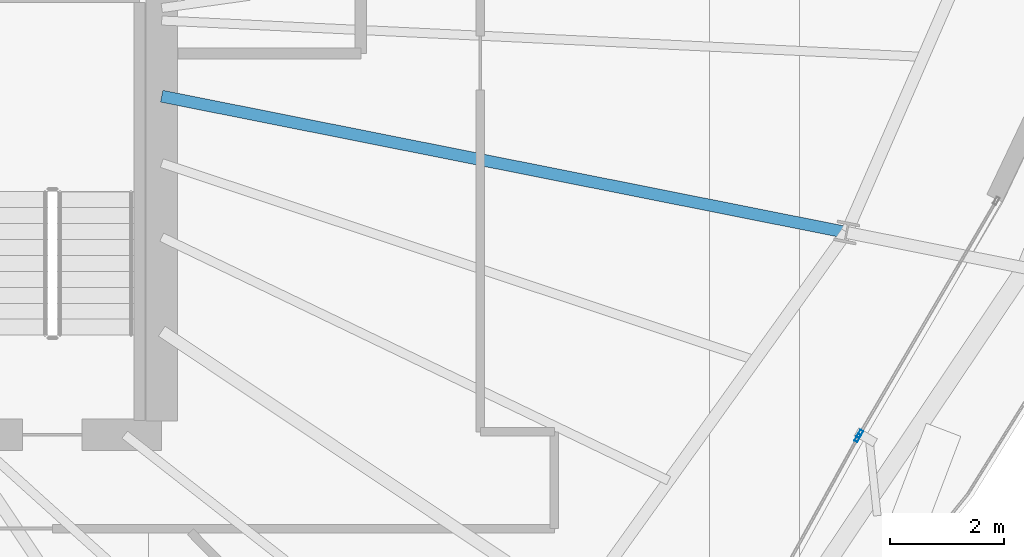
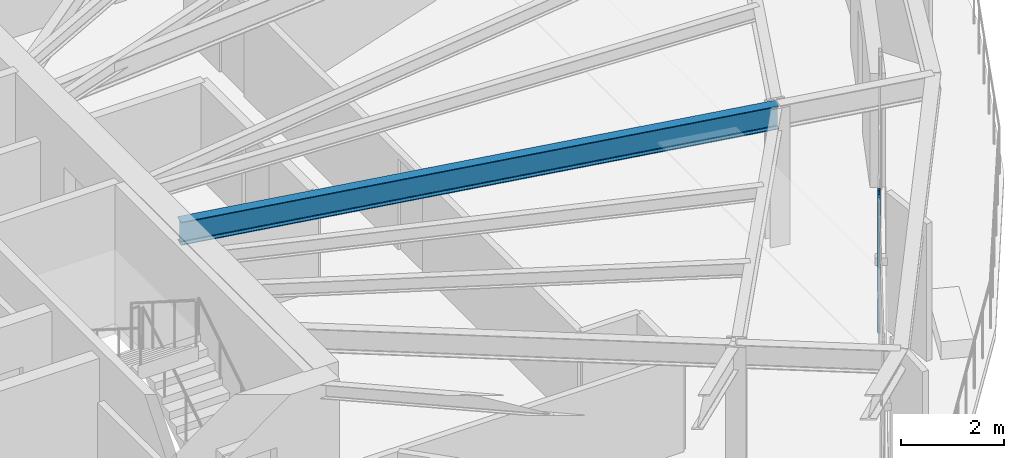
# One storey, part 17 of 36: 2 members, 1 beam, 2 elements without a shape of their own.
"""IFC4 building model written with IfcOpenShell, lengths in metres."""

from ifc_helpers import new_model, si_unit, direction, frame, origin, origin_2d, place, context, subcontext, project, spatial, hollow_rectangle, i_section, extrude, source, transform, mapped, material, layer, layer_set, material_profile, profile_set, type_object, element, aggregate, save


model = new_model("IFC4")

# Units and contexts
model_context = context("Model", 3, precision=1e-05, world=origin(), true_north=direction((0.0, 1.0)))
body_context = subcontext(model_context, "Body", "Model", "MODEL_VIEW")
ifc_project = project(units=[si_unit("LENGTHUNIT", "METRE"), si_unit("AREAUNIT", "SQUARE_METRE"), si_unit("VOLUMEUNIT", "CUBIC_METRE"), si_unit("PLANEANGLEUNIT", "RADIAN"), si_unit("MASSUNIT", "GRAM", prefix="KILO"), si_unit("THERMODYNAMICTEMPERATUREUNIT", "KELVIN")], contexts=[model_context])

# Site, building, storey
site_placement = place(None, origin())
site = spatial("IfcSite", under=ifc_project, at=site_placement, CompositionType="ELEMENT")
building_placement = place(site_placement, origin())
building = spatial("IfcBuilding", under=site, at=building_placement, Name="Kethvar Cultural Tower", CompositionType="ELEMENT")
storey_placement = place(building_placement, frame((0.0, 0.0, 164.300048828125)))
storey = spatial("IfcBuildingStorey", under=building, at=storey_placement, Name="L42", CompositionType="ELEMENT", Elevation=164.300048828125)

# Beam
ifc_material_1 = material(Name="Steel S355J2", Category="steel")
ifc_material_profile_1 = material_profile(ifc_material_1, i_section(OverallWidth=0.2099609375, OverallDepth=0.550048828125, WebThickness=0.010986328125, FlangeThickness=0.01708984375, FilletRadius=0.02392578125, at=origin_2d()), Name="Steel S355J2 — IPE550")
ifc_profile_set_1 = profile_set([ifc_material_profile_1], Name="Steel S355J2 — IPE550")
beam_type = type_object("IfcBeamType", Name="BM-IPE550", PredefinedType="BEAM", material=ifc_profile_set_1)
shared_shape_1 = source(origin(), body_context, "Body", "SweptSolid", [
    extrude(i_section(OverallWidth=0.2099609375, OverallDepth=0.550048828125, WebThickness=0.010986328125, FlangeThickness=0.01708984375, FilletRadius=0.02392578125, at=origin_2d()), origin(), (0.0, 0.0, 1.0), 12.2744140625),
])
beam_placement = place(storey_placement, frame((55.60009765625, 26.049560546875, 3.02294921875), z_axis=(0.980782878234, -0.195102398146, 0.0), x_axis=(0.195102398146, 0.980782878234, 0.0)))
element("IfcBeam", 1, at=beam_placement, inside=storey, type_object=beam_type, Name="L42 Primary Radial Beam RB-16", PredefinedType="BEAM", context=body_context, shape_type="MappedRepresentation", body=[
    mapped(shared_shape_1, transform((0.0, 0.0, 0.0), scale=1.0)),
])

# Curtain wall, member
ifc_material_2 = material(Name="Aluminium 6063-T6", Category="aluminium")
ifc_layer = layer(ifc_material_2, 0.179931640625, Name="Aluminium 6063-T6", Category="aluminium")
ifc_layer_set = layer_set([ifc_layer], Name="Aluminium 6063-T6 (180 mm)")
curtain_wall_type = type_object("IfcCurtainWallType", Name="CW-SYS-04-Z34", PredefinedType="NOTDEFINED", material=ifc_layer_set)
curtain_wall_1_placement = place(storey_placement, origin())
curtain_wall_1 = element("IfcCurtainWall", 2, at=curtain_wall_1_placement, inside=storey, type_object=curtain_wall_type, Name="L42 Curtain Wall Run 05", PredefinedType="NOTDEFINED")
ifc_material_profile_2 = material_profile(ifc_material_2, hollow_rectangle(XDim=0.06005859375, YDim=0.139892578125, WallThickness=0.0048828125, at=origin_2d()), Name="Aluminium 6063-T6 — RHS140x60x5")
ifc_profile_set_2 = profile_set([ifc_material_profile_2], Name="Aluminium 6063-T6 — RHS140x60x5")
member_type = type_object("IfcMemberType", Name="CW-SYS-04-Z34-MUL", PredefinedType="MULLION", material=ifc_profile_set_2)
shared_shape_2 = source(origin(), body_context, "Body", "SweptSolid", [
    extrude(hollow_rectangle(XDim=0.06005859375, YDim=0.139892578125, WallThickness=0.0048828125, at=origin_2d()), origin(), (0.0, 0.0, 1.0), 3.300048828125),
])
member_1_placement = place(storey_placement, frame((67.8330078125, 20.04443359375, 0.0), z_axis=(0.0, 0.0, 1.0), x_axis=(-0.87512691893, 0.483893454972, 0.0)))
member_1 = element("IfcMember", 3, at=member_1_placement, type_object=member_type, Name="CW-L42-R05 Mullion 7", PredefinedType="MULLION", context=body_context, shape_type="MappedRepresentation", body=[
    mapped(shared_shape_2, transform((0.0, 0.0, 0.0), scale=1.0)),
])
aggregate(curtain_wall_1, [member_1])

curtain_wall_2_placement = place(storey_placement, origin())
curtain_wall_2 = element("IfcCurtainWall", 4, at=curtain_wall_2_placement, inside=storey, type_object=curtain_wall_type, Name="L42 Curtain Wall Run 06", PredefinedType="NOTDEFINED")
member_2_placement = place(storey_placement, frame((67.872802734375, 20.114501953125, 0.0), z_axis=(0.0, 0.0, 1.0), x_axis=(-0.863104820366, 0.505024820243, 0.0)))
member_2 = element("IfcMember", 5, at=member_2_placement, type_object=member_type, Name="CW-L42-R06 Mullion 1", PredefinedType="MULLION", context=body_context, shape_type="MappedRepresentation", body=[
    mapped(shared_shape_2, transform((0.0, 0.0, 0.0), scale=1.0)),
])
aggregate(curtain_wall_2, [member_2])

save(model, "model.ifc")
